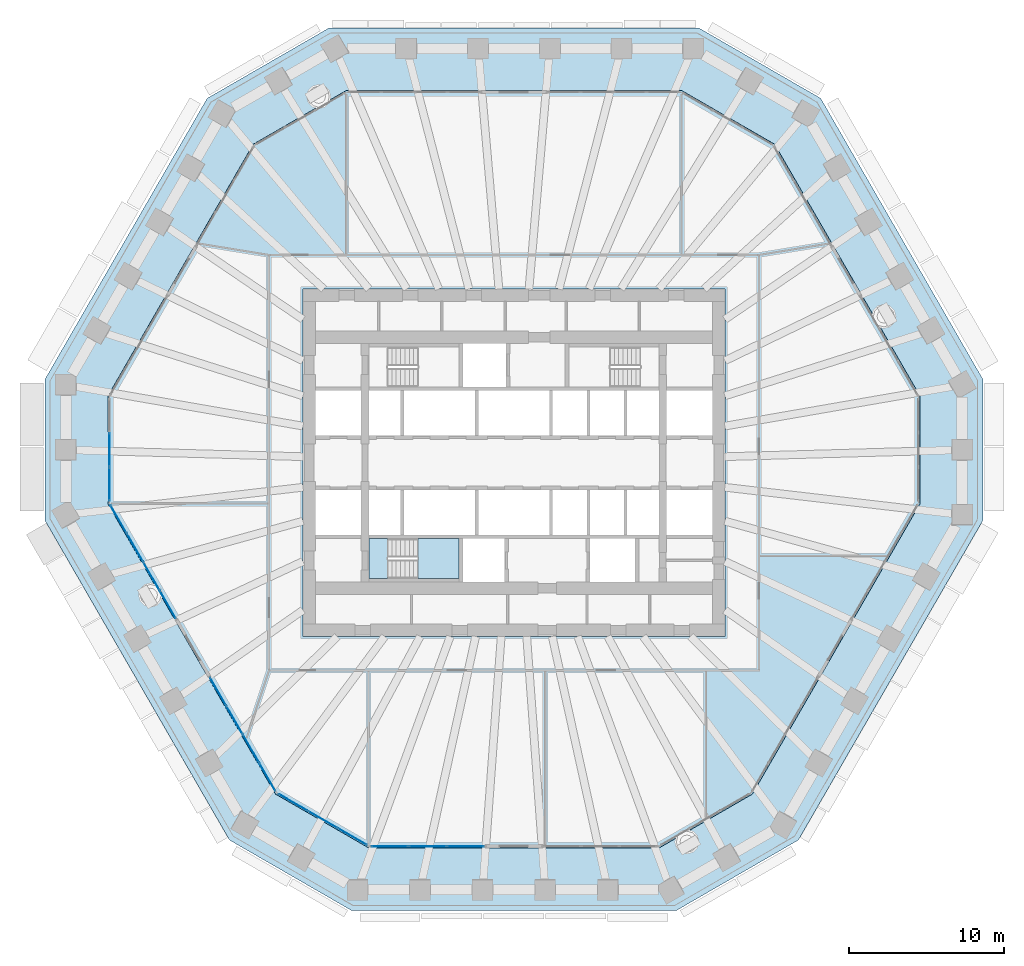
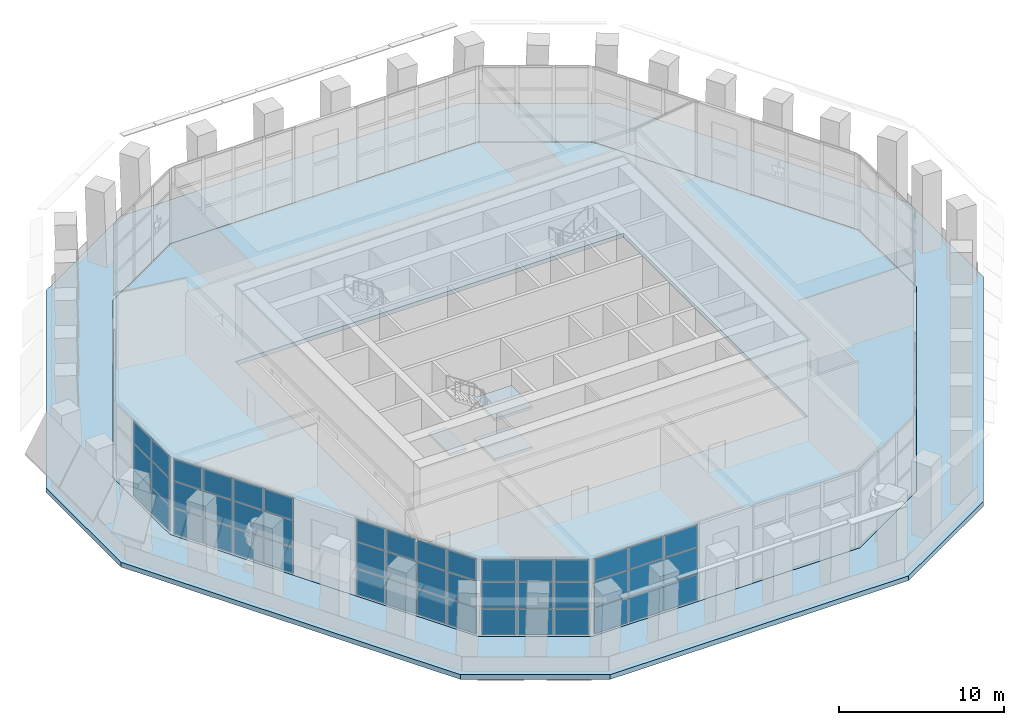
# One storey, part 10 of 22: 48 plates, 5 slabs, 6 elements without a shape of their own.
"""IFC4 building model written with IfcOpenShell, lengths in metres."""

from ifc_helpers import new_model, si_unit, direction, frame, origin, origin_2d, place, context, subcontext, project, spatial, polyline, rectangle, outline, extrude, material, layer, layer_set, type_object, element, aggregate, save


model = new_model("IFC4")

# Units and contexts
model_context = context("Model", 3, precision=1e-05, world=origin(), true_north=direction((0.0, 1.0)))
body_context = subcontext(model_context, "Body", "Model", "MODEL_VIEW")
ifc_project = project(units=[si_unit("LENGTHUNIT", "METRE"), si_unit("AREAUNIT", "SQUARE_METRE"), si_unit("VOLUMEUNIT", "CUBIC_METRE"), si_unit("PLANEANGLEUNIT", "RADIAN"), si_unit("MASSUNIT", "GRAM", prefix="KILO")], contexts=[model_context])

# Site, building, storey
site_placement = place(None, origin())
site = spatial("IfcSite", under=ifc_project, at=site_placement, CompositionType="ELEMENT")
building_placement = place(site_placement, origin())
building = spatial("IfcBuilding", under=site, at=building_placement, Name="Frailejon Research Tower", CompositionType="ELEMENT")
storey_placement = place(building_placement, frame((0.0, 0.0, 107.199951171875)))
storey = spatial("IfcBuildingStorey", under=building, at=storey_placement, Name="L23", CompositionType="ELEMENT", Elevation=107.199951171875)

# Slab
ifc_material_1 = material(Name="Concrete C40/50", Category="concrete")
ifc_layer_1 = layer(ifc_material_1, 0.35009765625)
ifc_layer_set_1 = layer_set([ifc_layer_1], Name="Loggia slab 350")
slab_type_1 = type_object("IfcSlabType", Name="Loggia slab 350", PredefinedType="USERDEFINED", material=ifc_layer_set_1)
slab_1_placement = place(storey_placement, frame((0.0, 0.0, -0.349853515625)))
element("IfcSlab", 1, at=slab_1_placement, inside=storey, type_object=slab_type_1, Name="Loggia slab L23", ObjectType="LOGGIA", PredefinedType="USERDEFINED", context=body_context, shape_type="SweptSolid", body=[
    extrude(outline(polyline([(18.34228515625, -24.330322265625), (10.462646484375, -28.879638671875), (-10.462646484375, -28.879638671875), (-18.34228515625, -24.330322265625), (-30.24169921875, -3.719482421875), (-30.24169921875, 5.37890625), (-19.779296875, 23.500732421875), (-11.899658203125, 28.050048828125), (11.899658203125, 28.050048828125), (19.779296875, 23.500732421875), (30.24169921875, 5.37890625), (30.24169921875, -3.719482421875), (18.34228515625, -24.330322265625)]), holes=[polyline([(26.19189453125, 4.293701171875), (16.814453125, 20.535888671875), (10.814453125, 24.0), (-10.814453125, 24.0), (-16.814453125, 20.535888671875), (-26.19189453125, 4.293701171875), (-26.19189453125, -2.634521484375), (-15.37744140625, -21.365478515625), (-9.37744140625, -24.82958984375), (9.37744140625, -24.82958984375), (15.37744140625, -21.365478515625), (26.19189453125, -2.634521484375), (26.19189453125, 4.293701171875)])]), origin(), (0.0, 0.0, 1.0), 0.349853515625),
])

# Curtain wall, plates
ifc_material_2 = material(Name="Aluminium curtain wall", Category="aluminium")
curtain_wall_type = type_object("IfcCurtainWallType", Name="Sky lobby curtain wall system", PredefinedType="NOTDEFINED", material=ifc_material_2)
curtain_wall_1_placement = place(storey_placement, origin())
curtain_wall_1 = element("IfcCurtainWall", 2, at=curtain_wall_1_placement, inside=storey, type_object=curtain_wall_type, Name="Curtain wall L23", PredefinedType="NOTDEFINED")
ifc_material_3 = material(Name="Clear laminated glass", Category="glass")
ifc_layer_2 = layer(ifc_material_3, 0.031982421875)
ifc_layer_set_2 = layer_set([ifc_layer_2], Name="Sky lobby curtain wall glass panel 32")
plate_type = type_object("IfcPlateType", Name="Sky lobby curtain wall glass panel 32", PredefinedType="CURTAIN_PANEL", material=ifc_layer_set_2)
plate_1_placement = place(storey_placement, frame((-26.091796875, 0.82958984375, 0.070068359375), z_axis=(0.0, 0.0, 1.0), x_axis=(0.0, -1.0, 0.0)))
plate_1 = element("IfcPlate", 3, at=plate_1_placement, type_object=plate_type, Name="CW4-090 panel 2.1", PredefinedType="CURTAIN_PANEL", context=body_context, shape_type="SweptSolid", body=[
    extrude(rectangle(XDim=2.15478515625, YDim=0.031982421875, at=origin_2d()), origin(), (0.0, 0.0, 1.0), 1.89501953125),
])
plate_2_placement = place(storey_placement, frame((-26.091796875, 0.82958984375, 2.03515625), z_axis=(0.0, 0.0, 1.0), x_axis=(0.0, -1.0, 0.0)))
plate_2 = element("IfcPlate", 4, at=plate_2_placement, type_object=plate_type, Name="CW4-090 panel 2.2", PredefinedType="CURTAIN_PANEL", context=body_context, shape_type="SweptSolid", body=[
    extrude(rectangle(XDim=2.15478515625, YDim=0.031982421875, at=origin_2d()), origin(), (0.0, 0.0, 1.0), 1.929931640625),
])
plate_3_placement = place(storey_placement, frame((-26.091796875, 0.82958984375, 4.03515625), z_axis=(0.0, 0.0, 1.0), x_axis=(0.0, -1.0, 0.0)))
plate_3 = element("IfcPlate", 5, at=plate_3_placement, type_object=plate_type, Name="CW4-090 panel 2.3", PredefinedType="CURTAIN_PANEL", context=body_context, shape_type="SweptSolid", body=[
    extrude(rectangle(XDim=2.15478515625, YDim=0.031982421875, at=origin_2d()), origin(), (0.0, 0.0, 1.0), 1.594970703125),
])
plate_4_placement = place(storey_placement, frame((-26.091796875, -1.377685546875, 0.070068359375), z_axis=(0.0, 0.0, 1.0), x_axis=(0.0, -1.0, 0.0)))
plate_4 = element("IfcPlate", 6, at=plate_4_placement, type_object=plate_type, Name="CW4-090 panel 3.1", PredefinedType="CURTAIN_PANEL", context=body_context, shape_type="SweptSolid", body=[
    extrude(rectangle(XDim=2.119873046875, YDim=0.031982421875, at=origin_2d()), origin(), (0.0, 0.0, 1.0), 1.89501953125),
])
plate_5_placement = place(storey_placement, frame((-26.091796875, -1.377685546875, 2.03515625), z_axis=(0.0, 0.0, 1.0), x_axis=(0.0, -1.0, 0.0)))
plate_5 = element("IfcPlate", 7, at=plate_5_placement, type_object=plate_type, Name="CW4-090 panel 3.2", PredefinedType="CURTAIN_PANEL", context=body_context, shape_type="SweptSolid", body=[
    extrude(rectangle(XDim=2.119873046875, YDim=0.031982421875, at=origin_2d()), origin(), (0.0, 0.0, 1.0), 1.929931640625),
])
plate_6_placement = place(storey_placement, frame((-26.091796875, -1.377685546875, 4.03515625), z_axis=(0.0, 0.0, 1.0), x_axis=(0.0, -1.0, 0.0)))
plate_6 = element("IfcPlate", 8, at=plate_6_placement, type_object=plate_type, Name="CW4-090 panel 3.3", PredefinedType="CURTAIN_PANEL", context=body_context, shape_type="SweptSolid", body=[
    extrude(rectangle(XDim=2.119873046875, YDim=0.031982421875, at=origin_2d()), origin(), (0.0, 0.0, 1.0), 1.594970703125),
])
aggregate(curtain_wall_1, [plate_1, plate_2, plate_3, plate_4, plate_5, plate_6])

curtain_wall_2_placement = place(storey_placement, origin())
curtain_wall_2 = element("IfcCurtainWall", 9, at=curtain_wall_2_placement, inside=storey, type_object=curtain_wall_type, Name="Curtain wall L23", PredefinedType="NOTDEFINED")
plate_7_placement = place(storey_placement, frame((-25.5, -3.6328125, 0.070068359375), z_axis=(0.0, 0.0, 1.0), x_axis=(0.499999832193, -0.866025500668, 0.0)))
plate_7 = element("IfcPlate", 10, at=plate_7_placement, type_object=plate_type, Name="CW4-091 panel 1.1", PredefinedType="CURTAIN_PANEL", context=body_context, shape_type="SweptSolid", body=[
    extrude(rectangle(XDim=2.027587890625, YDim=0.031982421875, at=origin_2d()), origin(), (0.0, 0.0, 1.0), 1.89501953125),
])
plate_8_placement = place(storey_placement, frame((-25.5, -3.6328125, 2.03515625), z_axis=(0.0, 0.0, 1.0), x_axis=(0.499999832193, -0.866025500668, 0.0)))
plate_8 = element("IfcPlate", 11, at=plate_8_placement, type_object=plate_type, Name="CW4-091 panel 1.2", PredefinedType="CURTAIN_PANEL", context=body_context, shape_type="SweptSolid", body=[
    extrude(rectangle(XDim=2.027587890625, YDim=0.031982421875, at=origin_2d()), origin(), (0.0, 0.0, 1.0), 1.929931640625),
])
plate_9_placement = place(storey_placement, frame((-25.5, -3.6328125, 4.03515625), z_axis=(0.0, 0.0, 1.0), x_axis=(0.499999832193, -0.866025500668, 0.0)))
plate_9 = element("IfcPlate", 12, at=plate_9_placement, type_object=plate_type, Name="CW4-091 panel 1.3", PredefinedType="CURTAIN_PANEL", context=body_context, shape_type="SweptSolid", body=[
    extrude(rectangle(XDim=2.027587890625, YDim=0.031982421875, at=origin_2d()), origin(), (0.0, 0.0, 1.0), 1.594970703125),
])
plate_10_placement = place(storey_placement, frame((-24.4423828125, -5.464599609375, 0.070068359375), z_axis=(0.0, 0.0, 1.0), x_axis=(0.499999832193, -0.866025500668, 0.0)))
plate_10 = element("IfcPlate", 13, at=plate_10_placement, type_object=plate_type, Name="CW4-091 panel 2.1", PredefinedType="CURTAIN_PANEL", context=body_context, shape_type="SweptSolid", body=[
    extrude(rectangle(XDim=2.0625, YDim=0.031982421875, at=origin_2d()), origin(), (0.0, 0.0, 1.0), 1.89501953125),
])
plate_11_placement = place(storey_placement, frame((-24.4423828125, -5.464599609375, 2.03515625), z_axis=(0.0, 0.0, 1.0), x_axis=(0.499999832193, -0.866025500668, 0.0)))
plate_11 = element("IfcPlate", 14, at=plate_11_placement, type_object=plate_type, Name="CW4-091 panel 2.2", PredefinedType="CURTAIN_PANEL", context=body_context, shape_type="SweptSolid", body=[
    extrude(rectangle(XDim=2.0625, YDim=0.031982421875, at=origin_2d()), origin(), (0.0, 0.0, 1.0), 1.929931640625),
])
plate_12_placement = place(storey_placement, frame((-24.4423828125, -5.464599609375, 4.03515625), z_axis=(0.0, 0.0, 1.0), x_axis=(0.499999832193, -0.866025500668, 0.0)))
plate_12 = element("IfcPlate", 15, at=plate_12_placement, type_object=plate_type, Name="CW4-091 panel 2.3", PredefinedType="CURTAIN_PANEL", context=body_context, shape_type="SweptSolid", body=[
    extrude(rectangle(XDim=2.0625, YDim=0.031982421875, at=origin_2d()), origin(), (0.0, 0.0, 1.0), 1.594970703125),
])
plate_13_placement = place(storey_placement, frame((-23.376220703125, -7.311279296875, 0.070068359375), z_axis=(0.0, 0.0, 1.0), x_axis=(0.499999832193, -0.866025500668, 0.0)))
plate_13 = element("IfcPlate", 16, at=plate_13_placement, type_object=plate_type, Name="CW4-091 panel 3.1", PredefinedType="CURTAIN_PANEL", context=body_context, shape_type="SweptSolid", body=[
    extrude(rectangle(XDim=2.0625, YDim=0.031982421875, at=origin_2d()), origin(), (0.0, 0.0, 1.0), 1.89501953125),
])
plate_14_placement = place(storey_placement, frame((-23.376220703125, -7.311279296875, 2.03515625), z_axis=(0.0, 0.0, 1.0), x_axis=(0.499999832193, -0.866025500668, 0.0)))
plate_14 = element("IfcPlate", 17, at=plate_14_placement, type_object=plate_type, Name="CW4-091 panel 3.2", PredefinedType="CURTAIN_PANEL", context=body_context, shape_type="SweptSolid", body=[
    extrude(rectangle(XDim=2.0625, YDim=0.031982421875, at=origin_2d()), origin(), (0.0, 0.0, 1.0), 1.929931640625),
])
plate_15_placement = place(storey_placement, frame((-23.376220703125, -7.311279296875, 4.03515625), z_axis=(0.0, 0.0, 1.0), x_axis=(0.499999832193, -0.866025500668, 0.0)))
plate_15 = element("IfcPlate", 18, at=plate_15_placement, type_object=plate_type, Name="CW4-091 panel 3.3", PredefinedType="CURTAIN_PANEL", context=body_context, shape_type="SweptSolid", body=[
    extrude(rectangle(XDim=2.0625, YDim=0.031982421875, at=origin_2d()), origin(), (0.0, 0.0, 1.0), 1.594970703125),
])
plate_16_placement = place(storey_placement, frame((-22.318603515625, -9.14306640625, 0.070068359375), z_axis=(0.0, 0.0, 1.0), x_axis=(0.499999832193, -0.866025500668, 0.0)))
plate_16 = element("IfcPlate", 19, at=plate_16_placement, type_object=plate_type, Name="CW4-091 panel 4.1", PredefinedType="CURTAIN_PANEL", context=body_context, shape_type="SweptSolid", body=[
    extrude(rectangle(XDim=2.027587890625, YDim=0.031982421875, at=origin_2d()), origin(), (0.0, 0.0, 1.0), 1.89501953125),
])
plate_17_placement = place(storey_placement, frame((-22.318603515625, -9.14306640625, 2.03515625), z_axis=(0.0, 0.0, 1.0), x_axis=(0.499999832193, -0.866025500668, 0.0)))
plate_17 = element("IfcPlate", 20, at=plate_17_placement, type_object=plate_type, Name="CW4-091 panel 4.2", PredefinedType="CURTAIN_PANEL", context=body_context, shape_type="SweptSolid", body=[
    extrude(rectangle(XDim=2.027587890625, YDim=0.031982421875, at=origin_2d()), origin(), (0.0, 0.0, 1.0), 1.929931640625),
])
plate_18_placement = place(storey_placement, frame((-22.318603515625, -9.14306640625, 4.03515625), z_axis=(0.0, 0.0, 1.0), x_axis=(0.499999832193, -0.866025500668, 0.0)))
plate_18 = element("IfcPlate", 21, at=plate_18_placement, type_object=plate_type, Name="CW4-091 panel 4.3", PredefinedType="CURTAIN_PANEL", context=body_context, shape_type="SweptSolid", body=[
    extrude(rectangle(XDim=2.027587890625, YDim=0.031982421875, at=origin_2d()), origin(), (0.0, 0.0, 1.0), 1.594970703125),
])
aggregate(curtain_wall_2, [plate_7, plate_8, plate_9, plate_10, plate_11, plate_12, plate_13, plate_14, plate_15, plate_16, plate_17, plate_18])

curtain_wall_3_placement = place(storey_placement, origin())
curtain_wall_3 = element("IfcCurtainWall", 22, at=curtain_wall_3_placement, inside=storey, type_object=curtain_wall_type, Name="Curtain wall L23", PredefinedType="NOTDEFINED")
plate_19_placement = place(storey_placement, frame((-19.077392578125, -14.757080078125, 0.070068359375), z_axis=(0.0, 0.0, 1.0), x_axis=(0.499999832193, -0.866025500668, 0.0)))
plate_19 = element("IfcPlate", 23, at=plate_19_placement, type_object=plate_type, Name="CW4-092 panel 1.1", PredefinedType="CURTAIN_PANEL", context=body_context, shape_type="SweptSolid", body=[
    extrude(rectangle(XDim=2.027587890625, YDim=0.031982421875, at=origin_2d()), origin(), (0.0, 0.0, 1.0), 1.89501953125),
])
plate_20_placement = place(storey_placement, frame((-19.077392578125, -14.757080078125, 2.03515625), z_axis=(0.0, 0.0, 1.0), x_axis=(0.499999832193, -0.866025500668, 0.0)))
plate_20 = element("IfcPlate", 24, at=plate_20_placement, type_object=plate_type, Name="CW4-092 panel 1.2", PredefinedType="CURTAIN_PANEL", context=body_context, shape_type="SweptSolid", body=[
    extrude(rectangle(XDim=2.027587890625, YDim=0.031982421875, at=origin_2d()), origin(), (0.0, 0.0, 1.0), 1.929931640625),
])
plate_21_placement = place(storey_placement, frame((-19.077392578125, -14.757080078125, 4.03515625), z_axis=(0.0, 0.0, 1.0), x_axis=(0.499999832193, -0.866025500668, 0.0)))
plate_21 = element("IfcPlate", 25, at=plate_21_placement, type_object=plate_type, Name="CW4-092 panel 1.3", PredefinedType="CURTAIN_PANEL", context=body_context, shape_type="SweptSolid", body=[
    extrude(rectangle(XDim=2.027587890625, YDim=0.031982421875, at=origin_2d()), origin(), (0.0, 0.0, 1.0), 1.594970703125),
])
plate_22_placement = place(storey_placement, frame((-18.019775390625, -16.588623046875, 0.070068359375), z_axis=(0.0, 0.0, 1.0), x_axis=(0.499999832193, -0.866025500668, 0.0)))
plate_22 = element("IfcPlate", 26, at=plate_22_placement, type_object=plate_type, Name="CW4-092 panel 2.1", PredefinedType="CURTAIN_PANEL", context=body_context, shape_type="SweptSolid", body=[
    extrude(rectangle(XDim=2.0625, YDim=0.031982421875, at=origin_2d()), origin(), (0.0, 0.0, 1.0), 1.89501953125),
])
plate_23_placement = place(storey_placement, frame((-18.019775390625, -16.588623046875, 2.03515625), z_axis=(0.0, 0.0, 1.0), x_axis=(0.499999832193, -0.866025500668, 0.0)))
plate_23 = element("IfcPlate", 27, at=plate_23_placement, type_object=plate_type, Name="CW4-092 panel 2.2", PredefinedType="CURTAIN_PANEL", context=body_context, shape_type="SweptSolid", body=[
    extrude(rectangle(XDim=2.0625, YDim=0.031982421875, at=origin_2d()), origin(), (0.0, 0.0, 1.0), 1.929931640625),
])
plate_24_placement = place(storey_placement, frame((-18.019775390625, -16.588623046875, 4.03515625), z_axis=(0.0, 0.0, 1.0), x_axis=(0.499999832193, -0.866025500668, 0.0)))
plate_24 = element("IfcPlate", 28, at=plate_24_placement, type_object=plate_type, Name="CW4-092 panel 2.3", PredefinedType="CURTAIN_PANEL", context=body_context, shape_type="SweptSolid", body=[
    extrude(rectangle(XDim=2.0625, YDim=0.031982421875, at=origin_2d()), origin(), (0.0, 0.0, 1.0), 1.594970703125),
])
plate_25_placement = place(storey_placement, frame((-16.95361328125, -18.435546875, 0.070068359375), z_axis=(0.0, 0.0, 1.0), x_axis=(0.499999832193, -0.866025500668, 0.0)))
plate_25 = element("IfcPlate", 29, at=plate_25_placement, type_object=plate_type, Name="CW4-092 panel 3.1", PredefinedType="CURTAIN_PANEL", context=body_context, shape_type="SweptSolid", body=[
    extrude(rectangle(XDim=2.0625, YDim=0.031982421875, at=origin_2d()), origin(), (0.0, 0.0, 1.0), 1.89501953125),
])
plate_26_placement = place(storey_placement, frame((-16.95361328125, -18.435546875, 2.03515625), z_axis=(0.0, 0.0, 1.0), x_axis=(0.499999832193, -0.866025500668, 0.0)))
plate_26 = element("IfcPlate", 30, at=plate_26_placement, type_object=plate_type, Name="CW4-092 panel 3.2", PredefinedType="CURTAIN_PANEL", context=body_context, shape_type="SweptSolid", body=[
    extrude(rectangle(XDim=2.0625, YDim=0.031982421875, at=origin_2d()), origin(), (0.0, 0.0, 1.0), 1.929931640625),
])
plate_27_placement = place(storey_placement, frame((-16.95361328125, -18.435546875, 4.03515625), z_axis=(0.0, 0.0, 1.0), x_axis=(0.499999832193, -0.866025500668, 0.0)))
plate_27 = element("IfcPlate", 31, at=plate_27_placement, type_object=plate_type, Name="CW4-092 panel 3.3", PredefinedType="CURTAIN_PANEL", context=body_context, shape_type="SweptSolid", body=[
    extrude(rectangle(XDim=2.0625, YDim=0.031982421875, at=origin_2d()), origin(), (0.0, 0.0, 1.0), 1.594970703125),
])
plate_28_placement = place(storey_placement, frame((-15.89599609375, -20.26708984375, 0.070068359375), z_axis=(0.0, 0.0, 1.0), x_axis=(0.499999832193, -0.866025500668, 0.0)))
plate_28 = element("IfcPlate", 32, at=plate_28_placement, type_object=plate_type, Name="CW4-092 panel 4.1", PredefinedType="CURTAIN_PANEL", context=body_context, shape_type="SweptSolid", body=[
    extrude(rectangle(XDim=2.027587890625, YDim=0.031982421875, at=origin_2d()), origin(), (0.0, 0.0, 1.0), 1.89501953125),
])
plate_29_placement = place(storey_placement, frame((-15.89599609375, -20.26708984375, 2.03515625), z_axis=(0.0, 0.0, 1.0), x_axis=(0.499999832193, -0.866025500668, 0.0)))
plate_29 = element("IfcPlate", 33, at=plate_29_placement, type_object=plate_type, Name="CW4-092 panel 4.2", PredefinedType="CURTAIN_PANEL", context=body_context, shape_type="SweptSolid", body=[
    extrude(rectangle(XDim=2.027587890625, YDim=0.031982421875, at=origin_2d()), origin(), (0.0, 0.0, 1.0), 1.929931640625),
])
plate_30_placement = place(storey_placement, frame((-15.89599609375, -20.26708984375, 4.03515625), z_axis=(0.0, 0.0, 1.0), x_axis=(0.499999832193, -0.866025500668, 0.0)))
plate_30 = element("IfcPlate", 34, at=plate_30_placement, type_object=plate_type, Name="CW4-092 panel 4.3", PredefinedType="CURTAIN_PANEL", context=body_context, shape_type="SweptSolid", body=[
    extrude(rectangle(XDim=2.027587890625, YDim=0.031982421875, at=origin_2d()), origin(), (0.0, 0.0, 1.0), 1.594970703125),
])
aggregate(curtain_wall_3, [plate_19, plate_20, plate_21, plate_22, plate_23, plate_24, plate_25, plate_26, plate_27, plate_28, plate_29, plate_30])

curtain_wall_4_placement = place(storey_placement, origin())
curtain_wall_4 = element("IfcCurtainWall", 35, at=curtain_wall_4_placement, inside=storey, type_object=curtain_wall_type, Name="Curtain wall L23", PredefinedType="NOTDEFINED")
plate_31_placement = place(storey_placement, frame((-14.239013671875, -21.9072265625, 0.070068359375), z_axis=(0.0, 0.0, 1.0), x_axis=(0.866019921618, -0.50000949527, 0.0)))
plate_31 = element("IfcPlate", 36, at=plate_31_placement, type_object=plate_type, Name="CW4-093 panel 1.1", PredefinedType="CURTAIN_PANEL", context=body_context, shape_type="SweptSolid", body=[
    extrude(rectangle(XDim=2.119873046875, YDim=0.031982421875, at=origin_2d()), origin(), (0.0, 0.0, 1.0), 1.89501953125),
])
plate_32_placement = place(storey_placement, frame((-14.239013671875, -21.9072265625, 2.03515625), z_axis=(0.0, 0.0, 1.0), x_axis=(0.866019921618, -0.50000949527, 0.0)))
plate_32 = element("IfcPlate", 37, at=plate_32_placement, type_object=plate_type, Name="CW4-093 panel 1.2", PredefinedType="CURTAIN_PANEL", context=body_context, shape_type="SweptSolid", body=[
    extrude(rectangle(XDim=2.119873046875, YDim=0.031982421875, at=origin_2d()), origin(), (0.0, 0.0, 1.0), 1.929931640625),
])
plate_33_placement = place(storey_placement, frame((-14.239013671875, -21.9072265625, 4.03515625), z_axis=(0.0, 0.0, 1.0), x_axis=(0.866019921618, -0.50000949527, 0.0)))
plate_33 = element("IfcPlate", 38, at=plate_33_placement, type_object=plate_type, Name="CW4-093 panel 1.3", PredefinedType="CURTAIN_PANEL", context=body_context, shape_type="SweptSolid", body=[
    extrude(rectangle(XDim=2.119873046875, YDim=0.031982421875, at=origin_2d()), origin(), (0.0, 0.0, 1.0), 1.594970703125),
])
plate_34_placement = place(storey_placement, frame((-12.327392578125, -23.010986328125, 0.070068359375), z_axis=(0.0, 0.0, 1.0), x_axis=(0.866019921618, -0.50000949527, 0.0)))
plate_34 = element("IfcPlate", 39, at=plate_34_placement, type_object=plate_type, Name="CW4-093 panel 2.1", PredefinedType="CURTAIN_PANEL", context=body_context, shape_type="SweptSolid", body=[
    extrude(rectangle(XDim=2.15478515625, YDim=0.031982421875, at=origin_2d()), origin(), (0.0, 0.0, 1.0), 1.89501953125),
])
plate_35_placement = place(storey_placement, frame((-12.327392578125, -23.010986328125, 2.03515625), z_axis=(0.0, 0.0, 1.0), x_axis=(0.866019921618, -0.50000949527, 0.0)))
plate_35 = element("IfcPlate", 40, at=plate_35_placement, type_object=plate_type, Name="CW4-093 panel 2.2", PredefinedType="CURTAIN_PANEL", context=body_context, shape_type="SweptSolid", body=[
    extrude(rectangle(XDim=2.15478515625, YDim=0.031982421875, at=origin_2d()), origin(), (0.0, 0.0, 1.0), 1.929931640625),
])
plate_36_placement = place(storey_placement, frame((-12.327392578125, -23.010986328125, 4.03515625), z_axis=(0.0, 0.0, 1.0), x_axis=(0.866019921618, -0.50000949527, 0.0)))
plate_36 = element("IfcPlate", 41, at=plate_36_placement, type_object=plate_type, Name="CW4-093 panel 2.3", PredefinedType="CURTAIN_PANEL", context=body_context, shape_type="SweptSolid", body=[
    extrude(rectangle(XDim=2.15478515625, YDim=0.031982421875, at=origin_2d()), origin(), (0.0, 0.0, 1.0), 1.594970703125),
])
plate_37_placement = place(storey_placement, frame((-10.415771484375, -24.11474609375, 0.070068359375), z_axis=(0.0, 0.0, 1.0), x_axis=(0.866019921618, -0.50000949527, 0.0)))
plate_37 = element("IfcPlate", 42, at=plate_37_placement, type_object=plate_type, Name="CW4-093 panel 3.1", PredefinedType="CURTAIN_PANEL", context=body_context, shape_type="SweptSolid", body=[
    extrude(rectangle(XDim=2.119873046875, YDim=0.031982421875, at=origin_2d()), origin(), (0.0, 0.0, 1.0), 1.89501953125),
])
plate_38_placement = place(storey_placement, frame((-10.415771484375, -24.11474609375, 2.03515625), z_axis=(0.0, 0.0, 1.0), x_axis=(0.866019921618, -0.50000949527, 0.0)))
plate_38 = element("IfcPlate", 43, at=plate_38_placement, type_object=plate_type, Name="CW4-093 panel 3.2", PredefinedType="CURTAIN_PANEL", context=body_context, shape_type="SweptSolid", body=[
    extrude(rectangle(XDim=2.119873046875, YDim=0.031982421875, at=origin_2d()), origin(), (0.0, 0.0, 1.0), 1.929931640625),
])
plate_39_placement = place(storey_placement, frame((-10.415771484375, -24.11474609375, 4.03515625), z_axis=(0.0, 0.0, 1.0), x_axis=(0.866019921618, -0.50000949527, 0.0)))
plate_39 = element("IfcPlate", 44, at=plate_39_placement, type_object=plate_type, Name="CW4-093 panel 3.3", PredefinedType="CURTAIN_PANEL", context=body_context, shape_type="SweptSolid", body=[
    extrude(rectangle(XDim=2.119873046875, YDim=0.031982421875, at=origin_2d()), origin(), (0.0, 0.0, 1.0), 1.594970703125),
])
aggregate(curtain_wall_4, [plate_31, plate_32, plate_33, plate_34, plate_35, plate_36, plate_37, plate_38, plate_39])

curtain_wall_5_placement = place(storey_placement, origin())
curtain_wall_5 = element("IfcCurtainWall", 45, at=curtain_wall_5_placement, inside=storey, type_object=curtain_wall_type, Name="Curtain wall L23", PredefinedType="NOTDEFINED")
plate_40_placement = place(storey_placement, frame((-8.0029296875, -24.729736328125, 0.070068359375), z_axis=(0.0, 0.0, 1.0), x_axis=(1.0, 0.0, 0.0)))
plate_40 = element("IfcPlate", 46, at=plate_40_placement, type_object=plate_type, Name="CW4-094 panel 1.1", PredefinedType="CURTAIN_PANEL", context=body_context, shape_type="SweptSolid", body=[
    extrude(rectangle(XDim=2.355224609375, YDim=0.031982421875, at=origin_2d()), origin(), (0.0, 0.0, 1.0), 1.89501953125),
])
plate_41_placement = place(storey_placement, frame((-8.0029296875, -24.729736328125, 2.03515625), z_axis=(0.0, 0.0, 1.0), x_axis=(1.0, 0.0, 0.0)))
plate_41 = element("IfcPlate", 47, at=plate_41_placement, type_object=plate_type, Name="CW4-094 panel 1.2", PredefinedType="CURTAIN_PANEL", context=body_context, shape_type="SweptSolid", body=[
    extrude(rectangle(XDim=2.355224609375, YDim=0.031982421875, at=origin_2d()), origin(), (0.0, 0.0, 1.0), 1.929931640625),
])
plate_42_placement = place(storey_placement, frame((-8.0029296875, -24.729736328125, 4.03515625), z_axis=(0.0, 0.0, 1.0), x_axis=(1.0, 0.0, 0.0)))
plate_42 = element("IfcPlate", 48, at=plate_42_placement, type_object=plate_type, Name="CW4-094 panel 1.3", PredefinedType="CURTAIN_PANEL", context=body_context, shape_type="SweptSolid", body=[
    extrude(rectangle(XDim=2.355224609375, YDim=0.031982421875, at=origin_2d()), origin(), (0.0, 0.0, 1.0), 1.594970703125),
])
plate_43_placement = place(storey_placement, frame((-5.560302734375, -24.729736328125, 0.070068359375), z_axis=(0.0, 0.0, 1.0), x_axis=(1.0, 0.0, 0.0)))
plate_43 = element("IfcPlate", 49, at=plate_43_placement, type_object=plate_type, Name="CW4-094 panel 2.1", PredefinedType="CURTAIN_PANEL", context=body_context, shape_type="SweptSolid", body=[
    extrude(rectangle(XDim=2.39013671875, YDim=0.031982421875, at=origin_2d()), origin(), (0.0, 0.0, 1.0), 1.89501953125),
])
plate_44_placement = place(storey_placement, frame((-5.560302734375, -24.729736328125, 2.03515625), z_axis=(0.0, 0.0, 1.0), x_axis=(1.0, 0.0, 0.0)))
plate_44 = element("IfcPlate", 50, at=plate_44_placement, type_object=plate_type, Name="CW4-094 panel 2.2", PredefinedType="CURTAIN_PANEL", context=body_context, shape_type="SweptSolid", body=[
    extrude(rectangle(XDim=2.39013671875, YDim=0.031982421875, at=origin_2d()), origin(), (0.0, 0.0, 1.0), 1.929931640625),
])
plate_45_placement = place(storey_placement, frame((-5.560302734375, -24.729736328125, 4.03515625), z_axis=(0.0, 0.0, 1.0), x_axis=(1.0, 0.0, 0.0)))
plate_45 = element("IfcPlate", 51, at=plate_45_placement, type_object=plate_type, Name="CW4-094 panel 2.3", PredefinedType="CURTAIN_PANEL", context=body_context, shape_type="SweptSolid", body=[
    extrude(rectangle(XDim=2.39013671875, YDim=0.031982421875, at=origin_2d()), origin(), (0.0, 0.0, 1.0), 1.594970703125),
])
plate_46_placement = place(storey_placement, frame((-3.11767578125, -24.729736328125, 0.070068359375), z_axis=(0.0, 0.0, 1.0), x_axis=(1.0, 0.0, 0.0)))
plate_46 = element("IfcPlate", 52, at=plate_46_placement, type_object=plate_type, Name="CW4-094 panel 3.1", PredefinedType="CURTAIN_PANEL", context=body_context, shape_type="SweptSolid", body=[
    extrude(rectangle(XDim=2.355224609375, YDim=0.031982421875, at=origin_2d()), origin(), (0.0, 0.0, 1.0), 1.89501953125),
])
plate_47_placement = place(storey_placement, frame((-3.11767578125, -24.729736328125, 2.03515625), z_axis=(0.0, 0.0, 1.0), x_axis=(1.0, 0.0, 0.0)))
plate_47 = element("IfcPlate", 53, at=plate_47_placement, type_object=plate_type, Name="CW4-094 panel 3.2", PredefinedType="CURTAIN_PANEL", context=body_context, shape_type="SweptSolid", body=[
    extrude(rectangle(XDim=2.355224609375, YDim=0.031982421875, at=origin_2d()), origin(), (0.0, 0.0, 1.0), 1.929931640625),
])
plate_48_placement = place(storey_placement, frame((-3.11767578125, -24.729736328125, 4.03515625), z_axis=(0.0, 0.0, 1.0), x_axis=(1.0, 0.0, 0.0)))
plate_48 = element("IfcPlate", 54, at=plate_48_placement, type_object=plate_type, Name="CW4-094 panel 3.3", PredefinedType="CURTAIN_PANEL", context=body_context, shape_type="SweptSolid", body=[
    extrude(rectangle(XDim=2.355224609375, YDim=0.031982421875, at=origin_2d()), origin(), (0.0, 0.0, 1.0), 1.594970703125),
])
aggregate(curtain_wall_5, [plate_40, plate_41, plate_42, plate_43, plate_44, plate_45, plate_46, plate_47, plate_48])

# Slab
ifc_material_4 = material(Name="Concrete C40/50", Category="concrete")
ifc_layer_3 = layer(ifc_material_4, 0.300048828125)
ifc_layer_set_3 = layer_set([ifc_layer_3], Name="Slab typical 300")
slab_type_2 = type_object("IfcSlabType", Name="Slab typical 300", PredefinedType="FLOOR", material=ifc_layer_set_3)
slab_2_placement = place(storey_placement, frame((0.0, 0.0, -0.300048828125)))
element("IfcSlab", 55, at=slab_2_placement, inside=storey, type_object=slab_type_2, Name="Floor slab L23", PredefinedType="FLOOR", context=body_context, shape_type="SweptSolid", body=[
    extrude(outline(polyline([(26.19189453125, -2.634521484375), (26.19189453125, 4.293701171875), (16.814453125, 20.535888671875), (10.814453125, 24.0), (-10.814453125, 24.0), (-16.814453125, 20.535888671875), (-26.19189453125, 4.293701171875), (-26.19189453125, -2.634521484375), (-15.37744140625, -21.365478515625), (-9.37744140625, -24.82958984375), (9.37744140625, -24.82958984375), (15.37744140625, -21.365478515625), (26.19189453125, -2.634521484375)]), holes=[polyline([(13.60009765625, -11.199951171875), (-13.60009765625, -11.199951171875), (-13.60009765625, 11.199951171875), (13.60009765625, 11.199951171875), (13.60009765625, -11.199951171875)])]), origin(), (0.0, 0.0, 1.0), 0.300048828125),
])

# Stair, slabs
ifc_material_5 = material(Name="Concrete C50/60", Category="concrete")
stair_type = type_object("IfcStairType", Name="Exit stair 32 risers", PredefinedType="HALF_TURN_STAIR", material=ifc_material_5)
stair_placement = place(storey_placement, origin())
stair = element("IfcStair", 56, at=stair_placement, inside=storey, type_object=stair_type, Name="L23 Exit stair ST2", PredefinedType="HALF_TURN_STAIR")
ifc_material_6 = material(Name="Concrete C50/60", Category="concrete")
ifc_layer_4 = layer(ifc_material_6, 0.199951171875)
ifc_layer_set_4 = layer_set([ifc_layer_4], Name="Stair landing slab 200")
slab_type_3 = type_object("IfcSlabType", Name="Stair landing slab 200", PredefinedType="LANDING", material=ifc_layer_set_4)
slab_3_placement = place(storey_placement, frame((0.0, 0.0, 1.300048828125)))
slab_3 = element("IfcSlab", 57, at=slab_3_placement, type_object=slab_type_3, Name="ST2 landing 1", PredefinedType="LANDING", context=body_context, shape_type="SweptSolid", body=[
    extrude(outline(polyline([(-6.18994140625, -7.449951171875), (-3.550048828125, -7.449951171875), (-3.550048828125, -4.89990234375), (-6.18994140625, -4.89990234375), (-6.18994140625, -7.449951171875)])), origin(), (0.0, 0.0, 1.0), 0.199951171875),
])
slab_4_placement = place(storey_placement, frame((0.0, 0.0, 2.800048828125)))
slab_4 = element("IfcSlab", 58, at=slab_4_placement, type_object=slab_type_3, Name="ST2 landing 2", PredefinedType="LANDING", context=body_context, shape_type="SweptSolid", body=[
    extrude(outline(polyline([(-9.35009765625, -7.449951171875), (-8.14990234375, -7.449951171875), (-8.14990234375, -4.89990234375), (-9.35009765625, -4.89990234375), (-9.35009765625, -7.449951171875)])), origin(), (0.0, 0.0, 1.0), 0.199951171875),
])
slab_5_placement = place(storey_placement, frame((0.0, 0.0, 4.300048828125)))
slab_5 = element("IfcSlab", 59, at=slab_5_placement, type_object=slab_type_3, Name="ST2 landing 3", PredefinedType="LANDING", context=body_context, shape_type="SweptSolid", body=[
    extrude(outline(polyline([(-6.18994140625, -7.449951171875), (-3.550048828125, -7.449951171875), (-3.550048828125, -4.89990234375), (-6.18994140625, -4.89990234375), (-6.18994140625, -7.449951171875)])), origin(), (0.0, 0.0, 1.0), 0.199951171875),
])
aggregate(stair, [slab_3, slab_4, slab_5])

save(model, "model.ifc")
